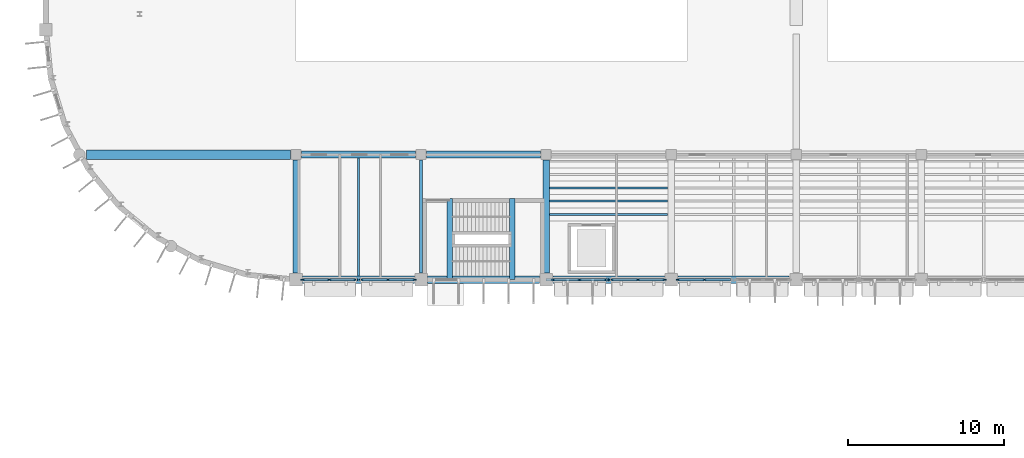
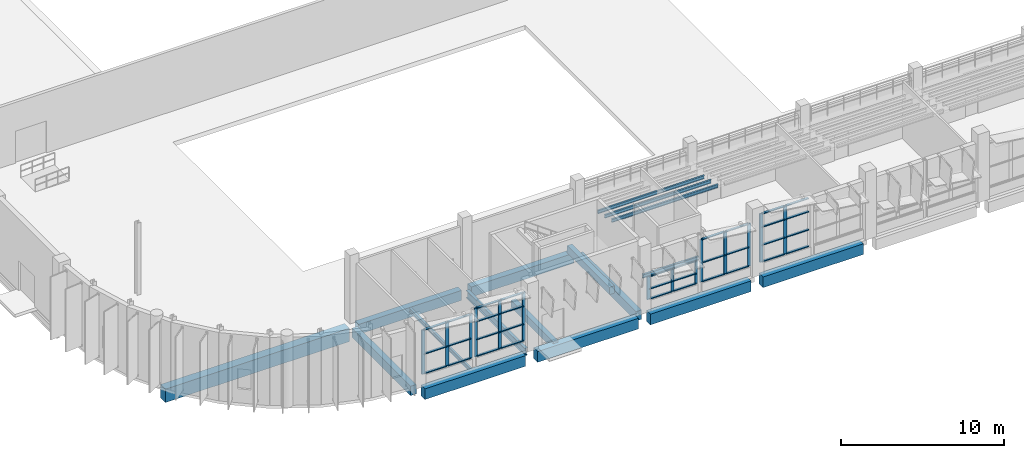
# One storey, part 13 of 103: 48 members, 17 beams, 5 elements without a shape of their own.
"""IFC4 building model written with IfcOpenShell, lengths in metres."""

from ifc_helpers import new_model, si_unit, direction, frame, origin, origin_2d, place, context, subcontext, project, spatial, rectangle, i_section, extrude, material, layer, layer_set, material_profile, profile_set, type_object, element, aggregate, save


model = new_model("IFC4")

# Units and contexts
model_context = context("Model", 3, precision=1e-05, world=origin(), true_north=direction((0.0, 1.0)))
body_context = subcontext(model_context, "Body", "Model", "MODEL_VIEW")
ifc_project = project(units=[si_unit("LENGTHUNIT", "METRE"), si_unit("AREAUNIT", "SQUARE_METRE"), si_unit("VOLUMEUNIT", "CUBIC_METRE"), si_unit("PLANEANGLEUNIT", "RADIAN"), si_unit("MASSUNIT", "GRAM", prefix="KILO")], contexts=[model_context])

# Site, building, storey
site_placement = place(None, origin())
site = spatial("IfcSite", under=ifc_project, at=site_placement, CompositionType="ELEMENT")
building_placement = place(site_placement, origin())
building = spatial("IfcBuilding", under=site, at=building_placement, Name="Drelvana Railside Aquatics Centre", CompositionType="ELEMENT")
storey_placement = place(building_placement, origin())
storey = spatial("IfcBuildingStorey", under=building, at=storey_placement, Name="L00", CompositionType="ELEMENT", Elevation=0.0)

# Curtain wall, members
ifc_material_1 = material(Name="Bronze-anodised aluminium curtain wall", Category="aluminium")
ifc_layer = layer(ifc_material_1, 0.199951171875, Name="Bronze-anodised aluminium curtain wall")
ifc_layer_set = layer_set([ifc_layer], Name="Bronze-anodised aluminium curtain wall")
curtain_wall_type = type_object("IfcCurtainWallType", Name="CW-Z1-SINE", PredefinedType="NOTDEFINED", material=ifc_layer_set)
curtain_wall_1_placement = place(storey_placement, origin())
curtain_wall_1 = element("IfcCurtainWall", 1, at=curtain_wall_1_placement, inside=storey, type_object=curtain_wall_type, Name="Curtain wall CW-01-001", PredefinedType="NOTDEFINED")
ifc_material_2 = material(Name="Bronze-anodised aluminium 6063-T6", Category="aluminium")
ifc_material_profile_1 = material_profile(ifc_material_2, rectangle(XDim=0.074951171875, YDim=0.22509765625, at=origin_2d()), Name="ALU-M 75x225")
ifc_profile_set_1 = profile_set([ifc_material_profile_1], Name="Bronze-anodised aluminium 6063-T6")
member_type_1 = type_object("IfcMemberType", Name="CW-Z1-SINE-MUL", PredefinedType="MULLION", material=ifc_profile_set_1)
member_1_placement = place(storey_placement, frame((16.431396484375, 16.0, 0.64404296875), z_axis=(0.0, 0.0, 1.0), x_axis=(0.0, 1.0, 0.0)))
member_1 = element("IfcMember", 2, at=member_1_placement, type_object=member_type_1, Name="CW-01 mullion 1", PredefinedType="MULLION", context=body_context, shape_type="SweptSolid", body=[
    extrude(rectangle(XDim=0.074951171875, YDim=0.22509765625, at=origin_2d()), origin(), (0.0, 0.0, 1.0), 3.3369140625),
])
member_2_placement = place(storey_placement, frame((18.126953125, 16.0, 0.64404296875), z_axis=(0.0, 0.0, 1.0), x_axis=(0.0, 1.0, 0.0)))
member_2 = element("IfcMember", 3, at=member_2_placement, type_object=member_type_1, Name="CW-01 mullion 2", PredefinedType="MULLION", context=body_context, shape_type="SweptSolid", body=[
    extrude(rectangle(XDim=0.074951171875, YDim=0.22509765625, at=origin_2d()), origin(), (0.0, 0.0, 1.0), 3.3369140625),
])
member_3_placement = place(storey_placement, frame((19.822509765625, 16.0, 0.64404296875), z_axis=(0.0, 0.0, 1.0), x_axis=(0.0, 1.0, 0.0)))
member_3 = element("IfcMember", 4, at=member_3_placement, type_object=member_type_1, Name="CW-01 mullion 3", PredefinedType="MULLION", context=body_context, shape_type="SweptSolid", body=[
    extrude(rectangle(XDim=0.074951171875, YDim=0.22509765625, at=origin_2d()), origin(), (0.0, 0.0, 1.0), 3.3369140625),
])

curtain_wall_2_placement = place(storey_placement, origin())
curtain_wall_2 = element("IfcCurtainWall", 5, at=curtain_wall_2_placement, inside=storey, type_object=curtain_wall_type, Name="Curtain wall CW-01-002", PredefinedType="NOTDEFINED")
member_4_placement = place(storey_placement, frame((20.177490234375, 16.0, 0.64404296875), z_axis=(0.0, 0.0, 1.0), x_axis=(0.0, 1.0, 0.0)))
member_4 = element("IfcMember", 6, at=member_4_placement, type_object=member_type_1, Name="CW-01 mullion 1", PredefinedType="MULLION", context=body_context, shape_type="SweptSolid", body=[
    extrude(rectangle(XDim=0.074951171875, YDim=0.22509765625, at=origin_2d()), origin(), (0.0, 0.0, 1.0), 3.660888671875),
])
member_5_placement = place(storey_placement, frame((21.873046875, 16.0, 0.64404296875), z_axis=(0.0, 0.0, 1.0), x_axis=(0.0, 1.0, 0.0)))
member_5 = element("IfcMember", 7, at=member_5_placement, type_object=member_type_1, Name="CW-01 mullion 2", PredefinedType="MULLION", context=body_context, shape_type="SweptSolid", body=[
    extrude(rectangle(XDim=0.074951171875, YDim=0.22509765625, at=origin_2d()), origin(), (0.0, 0.0, 1.0), 3.660888671875),
])
member_6_placement = place(storey_placement, frame((23.568603515625, 16.0, 0.64404296875), z_axis=(0.0, 0.0, 1.0), x_axis=(0.0, 1.0, 0.0)))
member_6 = element("IfcMember", 8, at=member_6_placement, type_object=member_type_1, Name="CW-01 mullion 3", PredefinedType="MULLION", context=body_context, shape_type="SweptSolid", body=[
    extrude(rectangle(XDim=0.074951171875, YDim=0.22509765625, at=origin_2d()), origin(), (0.0, 0.0, 1.0), 3.660888671875),
])

curtain_wall_3_placement = place(storey_placement, origin())
curtain_wall_3 = element("IfcCurtainWall", 9, at=curtain_wall_3_placement, inside=storey, type_object=curtain_wall_type, Name="Curtain wall CW-01-003", PredefinedType="NOTDEFINED")
member_7_placement = place(storey_placement, frame((32.431396484375, 16.0, 0.64404296875), z_axis=(0.0, 0.0, 1.0), x_axis=(0.0, 1.0, 0.0)))
member_7 = element("IfcMember", 10, at=member_7_placement, type_object=member_type_1, Name="CW-01 mullion 1", PredefinedType="MULLION", context=body_context, shape_type="SweptSolid", body=[
    extrude(rectangle(XDim=0.074951171875, YDim=0.22509765625, at=origin_2d()), origin(), (0.0, 0.0, 1.0), 1.751953125),
])
member_8_placement = place(storey_placement, frame((34.126953125, 16.0, 0.64404296875), z_axis=(0.0, 0.0, 1.0), x_axis=(0.0, 1.0, 0.0)))
member_8 = element("IfcMember", 11, at=member_8_placement, type_object=member_type_1, Name="CW-01 mullion 2", PredefinedType="MULLION", context=body_context, shape_type="SweptSolid", body=[
    extrude(rectangle(XDim=0.074951171875, YDim=0.22509765625, at=origin_2d()), origin(), (0.0, 0.0, 1.0), 1.751953125),
])
member_9_placement = place(storey_placement, frame((35.822509765625, 16.0, 0.64404296875), z_axis=(0.0, 0.0, 1.0), x_axis=(0.0, 1.0, 0.0)))
member_9 = element("IfcMember", 12, at=member_9_placement, type_object=member_type_1, Name="CW-01 mullion 3", PredefinedType="MULLION", context=body_context, shape_type="SweptSolid", body=[
    extrude(rectangle(XDim=0.074951171875, YDim=0.22509765625, at=origin_2d()), origin(), (0.0, 0.0, 1.0), 1.751953125),
])

curtain_wall_4_placement = place(storey_placement, origin())
curtain_wall_4 = element("IfcCurtainWall", 13, at=curtain_wall_4_placement, inside=storey, type_object=curtain_wall_type, Name="Curtain wall CW-01-004", PredefinedType="NOTDEFINED")
member_10_placement = place(storey_placement, frame((36.177490234375, 16.0, 0.64404296875), z_axis=(0.0, 0.0, 1.0), x_axis=(0.0, 1.0, 0.0)))
member_10 = element("IfcMember", 14, at=member_10_placement, type_object=member_type_1, Name="CW-01 mullion 1", PredefinedType="MULLION", context=body_context, shape_type="SweptSolid", body=[
    extrude(rectangle(XDim=0.074951171875, YDim=0.22509765625, at=origin_2d()), origin(), (0.0, 0.0, 1.0), 3.219970703125),
])
member_11_placement = place(storey_placement, frame((37.873046875, 16.0, 0.64404296875), z_axis=(0.0, 0.0, 1.0), x_axis=(0.0, 1.0, 0.0)))
member_11 = element("IfcMember", 15, at=member_11_placement, type_object=member_type_1, Name="CW-01 mullion 2", PredefinedType="MULLION", context=body_context, shape_type="SweptSolid", body=[
    extrude(rectangle(XDim=0.074951171875, YDim=0.22509765625, at=origin_2d()), origin(), (0.0, 0.0, 1.0), 3.219970703125),
])
member_12_placement = place(storey_placement, frame((39.568603515625, 16.0, 0.64404296875), z_axis=(0.0, 0.0, 1.0), x_axis=(0.0, 1.0, 0.0)))
member_12 = element("IfcMember", 16, at=member_12_placement, type_object=member_type_1, Name="CW-01 mullion 3", PredefinedType="MULLION", context=body_context, shape_type="SweptSolid", body=[
    extrude(rectangle(XDim=0.074951171875, YDim=0.22509765625, at=origin_2d()), origin(), (0.0, 0.0, 1.0), 3.219970703125),
])

curtain_wall_5_placement = place(storey_placement, origin())
curtain_wall_5 = element("IfcCurtainWall", 17, at=curtain_wall_5_placement, inside=storey, type_object=curtain_wall_type, Name="Curtain wall CW-01-005", PredefinedType="NOTDEFINED")
member_13_placement = place(storey_placement, frame((40.431396484375, 16.0, 0.64404296875), z_axis=(0.0, 0.0, 1.0), x_axis=(0.0, 1.0, 0.0)))
member_13 = element("IfcMember", 18, at=member_13_placement, type_object=member_type_1, Name="CW-01 mullion 1", PredefinedType="MULLION", context=body_context, shape_type="SweptSolid", body=[
    extrude(rectangle(XDim=0.074951171875, YDim=0.22509765625, at=origin_2d()), origin(), (0.0, 0.0, 1.0), 3.660888671875),
])
member_14_placement = place(storey_placement, frame((42.126953125, 16.0, 0.64404296875), z_axis=(0.0, 0.0, 1.0), x_axis=(0.0, 1.0, 0.0)))
member_14 = element("IfcMember", 19, at=member_14_placement, type_object=member_type_1, Name="CW-01 mullion 2", PredefinedType="MULLION", context=body_context, shape_type="SweptSolid", body=[
    extrude(rectangle(XDim=0.074951171875, YDim=0.22509765625, at=origin_2d()), origin(), (0.0, 0.0, 1.0), 3.660888671875),
])

# Member
ifc_material_profile_2 = material_profile(ifc_material_2, rectangle(XDim=0.159912109375, YDim=0.070068359375, at=origin_2d()), Name="ALU-T 70x160")
ifc_profile_set_2 = profile_set([ifc_material_profile_2], Name="Bronze-anodised aluminium 6063-T6")
member_type_2 = type_object("IfcMemberType", Name="CW-Z1-SINE-TRN", PredefinedType="USERDEFINED", material=ifc_profile_set_2)
member_15_placement = place(storey_placement, frame((16.464111328125, 16.0, 0.678955078125), z_axis=(1.0, 0.0, 0.0), x_axis=(0.0, 1.0, 0.0)))
member_15 = element("IfcMember", 20, at=member_15_placement, type_object=member_type_2, Name="CW-01 transom 1.1", ObjectType="TRANSOM", PredefinedType="USERDEFINED", context=body_context, shape_type="SweptSolid", body=[
    extrude(rectangle(XDim=0.159912109375, YDim=0.070068359375, at=origin_2d()), origin(), (0.0, 0.0, 1.0), 1.63037109375),
])

member_16_placement = place(storey_placement, frame((16.464111328125, 16.0, 2.14599609375), z_axis=(1.0, 0.0, 0.0), x_axis=(0.0, 1.0, 0.0)))
member_16 = element("IfcMember", 21, at=member_16_placement, type_object=member_type_2, Name="CW-01 transom 1.2", ObjectType="TRANSOM", PredefinedType="USERDEFINED", context=body_context, shape_type="SweptSolid", body=[
    extrude(rectangle(XDim=0.159912109375, YDim=0.070068359375, at=origin_2d()), origin(), (0.0, 0.0, 1.0), 1.63037109375),
])

member_17_placement = place(storey_placement, frame((16.464111328125, 16.0, 3.946044921875), z_axis=(1.0, 0.0, 0.0), x_axis=(0.0, 1.0, 0.0)))
member_17 = element("IfcMember", 22, at=member_17_placement, type_object=member_type_2, Name="CW-01 transom 1.3", ObjectType="TRANSOM", PredefinedType="USERDEFINED", context=body_context, shape_type="SweptSolid", body=[
    extrude(rectangle(XDim=0.159912109375, YDim=0.070068359375, at=origin_2d()), origin(), (0.0, 0.0, 1.0), 1.63037109375),
])

member_18_placement = place(storey_placement, frame((18.159423828125, 16.0, 0.678955078125), z_axis=(1.0, 0.0, 0.0), x_axis=(0.0, 1.0, 0.0)))
member_18 = element("IfcMember", 23, at=member_18_placement, type_object=member_type_2, Name="CW-01 transom 2.1", ObjectType="TRANSOM", PredefinedType="USERDEFINED", context=body_context, shape_type="SweptSolid", body=[
    extrude(rectangle(XDim=0.159912109375, YDim=0.070068359375, at=origin_2d()), origin(), (0.0, 0.0, 1.0), 1.630615234375),
])

member_19_placement = place(storey_placement, frame((18.159423828125, 16.0, 2.14599609375), z_axis=(1.0, 0.0, 0.0), x_axis=(0.0, 1.0, 0.0)))
member_19 = element("IfcMember", 24, at=member_19_placement, type_object=member_type_2, Name="CW-01 transom 2.2", ObjectType="TRANSOM", PredefinedType="USERDEFINED", context=body_context, shape_type="SweptSolid", body=[
    extrude(rectangle(XDim=0.159912109375, YDim=0.070068359375, at=origin_2d()), origin(), (0.0, 0.0, 1.0), 1.630615234375),
])

member_20_placement = place(storey_placement, frame((18.159423828125, 16.0, 3.946044921875), z_axis=(1.0, 0.0, 0.0), x_axis=(0.0, 1.0, 0.0)))
member_20 = element("IfcMember", 25, at=member_20_placement, type_object=member_type_2, Name="CW-01 transom 2.3", ObjectType="TRANSOM", PredefinedType="USERDEFINED", context=body_context, shape_type="SweptSolid", body=[
    extrude(rectangle(XDim=0.159912109375, YDim=0.070068359375, at=origin_2d()), origin(), (0.0, 0.0, 1.0), 1.630615234375),
])

aggregate(curtain_wall_1, [member_1, member_2, member_3, member_15, member_16, member_17, member_18, member_19, member_20])

member_21_placement = place(storey_placement, frame((20.2099609375, 16.0, 0.678955078125), z_axis=(1.0, 0.0, 0.0), x_axis=(0.0, 1.0, 0.0)))
member_21 = element("IfcMember", 26, at=member_21_placement, type_object=member_type_2, Name="CW-01 transom 1.1", ObjectType="TRANSOM", PredefinedType="USERDEFINED", context=body_context, shape_type="SweptSolid", body=[
    extrude(rectangle(XDim=0.159912109375, YDim=0.070068359375, at=origin_2d()), origin(), (0.0, 0.0, 1.0), 1.630615234375),
])

member_22_placement = place(storey_placement, frame((20.2099609375, 16.0, 1.925048828125), z_axis=(1.0, 0.0, 0.0), x_axis=(0.0, 1.0, 0.0)))
member_22 = element("IfcMember", 27, at=member_22_placement, type_object=member_type_2, Name="CW-01 transom 1.2", ObjectType="TRANSOM", PredefinedType="USERDEFINED", context=body_context, shape_type="SweptSolid", body=[
    extrude(rectangle(XDim=0.159912109375, YDim=0.070068359375, at=origin_2d()), origin(), (0.0, 0.0, 1.0), 1.630615234375),
])

member_23_placement = place(storey_placement, frame((20.2099609375, 16.0, 3.280029296875), z_axis=(1.0, 0.0, 0.0), x_axis=(0.0, 1.0, 0.0)))
member_23 = element("IfcMember", 28, at=member_23_placement, type_object=member_type_2, Name="CW-01 transom 1.3", ObjectType="TRANSOM", PredefinedType="USERDEFINED", context=body_context, shape_type="SweptSolid", body=[
    extrude(rectangle(XDim=0.159912109375, YDim=0.070068359375, at=origin_2d()), origin(), (0.0, 0.0, 1.0), 1.630615234375),
])

member_24_placement = place(storey_placement, frame((20.2099609375, 16.0, 4.27001953125), z_axis=(1.0, 0.0, 0.0), x_axis=(0.0, 1.0, 0.0)))
member_24 = element("IfcMember", 29, at=member_24_placement, type_object=member_type_2, Name="CW-01 transom 1.4", ObjectType="TRANSOM", PredefinedType="USERDEFINED", context=body_context, shape_type="SweptSolid", body=[
    extrude(rectangle(XDim=0.159912109375, YDim=0.070068359375, at=origin_2d()), origin(), (0.0, 0.0, 1.0), 1.630615234375),
])

member_25_placement = place(storey_placement, frame((21.905517578125, 16.0, 0.678955078125), z_axis=(1.0, 0.0, 0.0), x_axis=(0.0, 1.0, 0.0)))
member_25 = element("IfcMember", 30, at=member_25_placement, type_object=member_type_2, Name="CW-01 transom 2.1", ObjectType="TRANSOM", PredefinedType="USERDEFINED", context=body_context, shape_type="SweptSolid", body=[
    extrude(rectangle(XDim=0.159912109375, YDim=0.070068359375, at=origin_2d()), origin(), (0.0, 0.0, 1.0), 1.63037109375),
])

member_26_placement = place(storey_placement, frame((21.905517578125, 16.0, 1.925048828125), z_axis=(1.0, 0.0, 0.0), x_axis=(0.0, 1.0, 0.0)))
member_26 = element("IfcMember", 31, at=member_26_placement, type_object=member_type_2, Name="CW-01 transom 2.2", ObjectType="TRANSOM", PredefinedType="USERDEFINED", context=body_context, shape_type="SweptSolid", body=[
    extrude(rectangle(XDim=0.159912109375, YDim=0.070068359375, at=origin_2d()), origin(), (0.0, 0.0, 1.0), 1.63037109375),
])

member_27_placement = place(storey_placement, frame((21.905517578125, 16.0, 3.280029296875), z_axis=(1.0, 0.0, 0.0), x_axis=(0.0, 1.0, 0.0)))
member_27 = element("IfcMember", 32, at=member_27_placement, type_object=member_type_2, Name="CW-01 transom 2.3", ObjectType="TRANSOM", PredefinedType="USERDEFINED", context=body_context, shape_type="SweptSolid", body=[
    extrude(rectangle(XDim=0.159912109375, YDim=0.070068359375, at=origin_2d()), origin(), (0.0, 0.0, 1.0), 1.63037109375),
])

member_28_placement = place(storey_placement, frame((21.905517578125, 16.0, 4.27001953125), z_axis=(1.0, 0.0, 0.0), x_axis=(0.0, 1.0, 0.0)))
member_28 = element("IfcMember", 33, at=member_28_placement, type_object=member_type_2, Name="CW-01 transom 2.4", ObjectType="TRANSOM", PredefinedType="USERDEFINED", context=body_context, shape_type="SweptSolid", body=[
    extrude(rectangle(XDim=0.159912109375, YDim=0.070068359375, at=origin_2d()), origin(), (0.0, 0.0, 1.0), 1.63037109375),
])

aggregate(curtain_wall_2, [member_4, member_5, member_6, member_21, member_22, member_23, member_24, member_25, member_26, member_27, member_28])

member_29_placement = place(storey_placement, frame((32.464111328125, 16.0, 0.678955078125), z_axis=(1.0, 0.0, 0.0), x_axis=(0.0, 1.0, 0.0)))
member_29 = element("IfcMember", 34, at=member_29_placement, type_object=member_type_2, Name="CW-01 transom 1.1", ObjectType="TRANSOM", PredefinedType="USERDEFINED", context=body_context, shape_type="SweptSolid", body=[
    extrude(rectangle(XDim=0.159912109375, YDim=0.070068359375, at=origin_2d()), origin(), (0.0, 0.0, 1.0), 1.63037109375),
])

member_30_placement = place(storey_placement, frame((32.464111328125, 16.0, 1.431884765625), z_axis=(1.0, 0.0, 0.0), x_axis=(0.0, 1.0, 0.0)))
member_30 = element("IfcMember", 35, at=member_30_placement, type_object=member_type_2, Name="CW-01 transom 1.2", ObjectType="TRANSOM", PredefinedType="USERDEFINED", context=body_context, shape_type="SweptSolid", body=[
    extrude(rectangle(XDim=0.159912109375, YDim=0.070068359375, at=origin_2d()), origin(), (0.0, 0.0, 1.0), 1.63037109375),
])

member_31_placement = place(storey_placement, frame((32.464111328125, 16.0, 2.361083984375), z_axis=(1.0, 0.0, 0.0), x_axis=(0.0, 1.0, 0.0)))
member_31 = element("IfcMember", 36, at=member_31_placement, type_object=member_type_2, Name="CW-01 transom 1.3", ObjectType="TRANSOM", PredefinedType="USERDEFINED", context=body_context, shape_type="SweptSolid", body=[
    extrude(rectangle(XDim=0.159912109375, YDim=0.070068359375, at=origin_2d()), origin(), (0.0, 0.0, 1.0), 1.63037109375),
])

member_32_placement = place(storey_placement, frame((34.159423828125, 16.0, 0.678955078125), z_axis=(1.0, 0.0, 0.0), x_axis=(0.0, 1.0, 0.0)))
member_32 = element("IfcMember", 37, at=member_32_placement, type_object=member_type_2, Name="CW-01 transom 2.1", ObjectType="TRANSOM", PredefinedType="USERDEFINED", context=body_context, shape_type="SweptSolid", body=[
    extrude(rectangle(XDim=0.159912109375, YDim=0.070068359375, at=origin_2d()), origin(), (0.0, 0.0, 1.0), 1.630615234375),
])

member_33_placement = place(storey_placement, frame((34.159423828125, 16.0, 1.431884765625), z_axis=(1.0, 0.0, 0.0), x_axis=(0.0, 1.0, 0.0)))
member_33 = element("IfcMember", 38, at=member_33_placement, type_object=member_type_2, Name="CW-01 transom 2.2", ObjectType="TRANSOM", PredefinedType="USERDEFINED", context=body_context, shape_type="SweptSolid", body=[
    extrude(rectangle(XDim=0.159912109375, YDim=0.070068359375, at=origin_2d()), origin(), (0.0, 0.0, 1.0), 1.630615234375),
])

member_34_placement = place(storey_placement, frame((34.159423828125, 16.0, 2.361083984375), z_axis=(1.0, 0.0, 0.0), x_axis=(0.0, 1.0, 0.0)))
member_34 = element("IfcMember", 39, at=member_34_placement, type_object=member_type_2, Name="CW-01 transom 2.3", ObjectType="TRANSOM", PredefinedType="USERDEFINED", context=body_context, shape_type="SweptSolid", body=[
    extrude(rectangle(XDim=0.159912109375, YDim=0.070068359375, at=origin_2d()), origin(), (0.0, 0.0, 1.0), 1.630615234375),
])

aggregate(curtain_wall_3, [member_7, member_8, member_9, member_29, member_30, member_31, member_32, member_33, member_34])

member_35_placement = place(storey_placement, frame((36.2099609375, 16.0, 0.678955078125), z_axis=(1.0, 0.0, 0.0), x_axis=(0.0, 1.0, 0.0)))
member_35 = element("IfcMember", 40, at=member_35_placement, type_object=member_type_2, Name="CW-01 transom 1.1", ObjectType="TRANSOM", PredefinedType="USERDEFINED", context=body_context, shape_type="SweptSolid", body=[
    extrude(rectangle(XDim=0.159912109375, YDim=0.070068359375, at=origin_2d()), origin(), (0.0, 0.0, 1.0), 1.630615234375),
])

member_36_placement = place(storey_placement, frame((36.2099609375, 16.0, 2.093017578125), z_axis=(1.0, 0.0, 0.0), x_axis=(0.0, 1.0, 0.0)))
member_36 = element("IfcMember", 41, at=member_36_placement, type_object=member_type_2, Name="CW-01 transom 1.2", ObjectType="TRANSOM", PredefinedType="USERDEFINED", context=body_context, shape_type="SweptSolid", body=[
    extrude(rectangle(XDim=0.159912109375, YDim=0.070068359375, at=origin_2d()), origin(), (0.0, 0.0, 1.0), 1.630615234375),
])

member_37_placement = place(storey_placement, frame((36.2099609375, 16.0, 3.8291015625), z_axis=(1.0, 0.0, 0.0), x_axis=(0.0, 1.0, 0.0)))
member_37 = element("IfcMember", 42, at=member_37_placement, type_object=member_type_2, Name="CW-01 transom 1.3", ObjectType="TRANSOM", PredefinedType="USERDEFINED", context=body_context, shape_type="SweptSolid", body=[
    extrude(rectangle(XDim=0.159912109375, YDim=0.070068359375, at=origin_2d()), origin(), (0.0, 0.0, 1.0), 1.630615234375),
])

member_38_placement = place(storey_placement, frame((37.905517578125, 16.0, 0.678955078125), z_axis=(1.0, 0.0, 0.0), x_axis=(0.0, 1.0, 0.0)))
member_38 = element("IfcMember", 43, at=member_38_placement, type_object=member_type_2, Name="CW-01 transom 2.1", ObjectType="TRANSOM", PredefinedType="USERDEFINED", context=body_context, shape_type="SweptSolid", body=[
    extrude(rectangle(XDim=0.159912109375, YDim=0.070068359375, at=origin_2d()), origin(), (0.0, 0.0, 1.0), 1.63037109375),
])

member_39_placement = place(storey_placement, frame((37.905517578125, 16.0, 2.093017578125), z_axis=(1.0, 0.0, 0.0), x_axis=(0.0, 1.0, 0.0)))
member_39 = element("IfcMember", 44, at=member_39_placement, type_object=member_type_2, Name="CW-01 transom 2.2", ObjectType="TRANSOM", PredefinedType="USERDEFINED", context=body_context, shape_type="SweptSolid", body=[
    extrude(rectangle(XDim=0.159912109375, YDim=0.070068359375, at=origin_2d()), origin(), (0.0, 0.0, 1.0), 1.63037109375),
])

member_40_placement = place(storey_placement, frame((37.905517578125, 16.0, 3.8291015625), z_axis=(1.0, 0.0, 0.0), x_axis=(0.0, 1.0, 0.0)))
member_40 = element("IfcMember", 45, at=member_40_placement, type_object=member_type_2, Name="CW-01 transom 2.3", ObjectType="TRANSOM", PredefinedType="USERDEFINED", context=body_context, shape_type="SweptSolid", body=[
    extrude(rectangle(XDim=0.159912109375, YDim=0.070068359375, at=origin_2d()), origin(), (0.0, 0.0, 1.0), 1.63037109375),
])

aggregate(curtain_wall_4, [member_10, member_11, member_12, member_35, member_36, member_37, member_38, member_39, member_40])

member_41_placement = place(storey_placement, frame((40.464111328125, 16.0, 0.678955078125), z_axis=(1.0, 0.0, 0.0), x_axis=(0.0, 1.0, 0.0)))
member_41 = element("IfcMember", 46, at=member_41_placement, type_object=member_type_2, Name="CW-01 transom 1.1", ObjectType="TRANSOM", PredefinedType="USERDEFINED", context=body_context, shape_type="SweptSolid", body=[
    extrude(rectangle(XDim=0.159912109375, YDim=0.070068359375, at=origin_2d()), origin(), (0.0, 0.0, 1.0), 1.63037109375),
])

member_42_placement = place(storey_placement, frame((40.464111328125, 16.0, 1.925048828125), z_axis=(1.0, 0.0, 0.0), x_axis=(0.0, 1.0, 0.0)))
member_42 = element("IfcMember", 47, at=member_42_placement, type_object=member_type_2, Name="CW-01 transom 1.2", ObjectType="TRANSOM", PredefinedType="USERDEFINED", context=body_context, shape_type="SweptSolid", body=[
    extrude(rectangle(XDim=0.159912109375, YDim=0.070068359375, at=origin_2d()), origin(), (0.0, 0.0, 1.0), 1.63037109375),
])

member_43_placement = place(storey_placement, frame((40.464111328125, 16.0, 3.280029296875), z_axis=(1.0, 0.0, 0.0), x_axis=(0.0, 1.0, 0.0)))
member_43 = element("IfcMember", 48, at=member_43_placement, type_object=member_type_2, Name="CW-01 transom 1.3", ObjectType="TRANSOM", PredefinedType="USERDEFINED", context=body_context, shape_type="SweptSolid", body=[
    extrude(rectangle(XDim=0.159912109375, YDim=0.070068359375, at=origin_2d()), origin(), (0.0, 0.0, 1.0), 1.63037109375),
])

member_44_placement = place(storey_placement, frame((40.464111328125, 16.0, 4.27001953125), z_axis=(1.0, 0.0, 0.0), x_axis=(0.0, 1.0, 0.0)))
member_44 = element("IfcMember", 49, at=member_44_placement, type_object=member_type_2, Name="CW-01 transom 1.4", ObjectType="TRANSOM", PredefinedType="USERDEFINED", context=body_context, shape_type="SweptSolid", body=[
    extrude(rectangle(XDim=0.159912109375, YDim=0.070068359375, at=origin_2d()), origin(), (0.0, 0.0, 1.0), 1.63037109375),
])

member_45_placement = place(storey_placement, frame((42.159423828125, 16.0, 0.678955078125), z_axis=(1.0, 0.0, 0.0), x_axis=(0.0, 1.0, 0.0)))
member_45 = element("IfcMember", 50, at=member_45_placement, type_object=member_type_2, Name="CW-01 transom 2.1", ObjectType="TRANSOM", PredefinedType="USERDEFINED", context=body_context, shape_type="SweptSolid", body=[
    extrude(rectangle(XDim=0.159912109375, YDim=0.070068359375, at=origin_2d()), origin(), (0.0, 0.0, 1.0), 1.630615234375),
])

member_46_placement = place(storey_placement, frame((42.159423828125, 16.0, 1.925048828125), z_axis=(1.0, 0.0, 0.0), x_axis=(0.0, 1.0, 0.0)))
member_46 = element("IfcMember", 51, at=member_46_placement, type_object=member_type_2, Name="CW-01 transom 2.2", ObjectType="TRANSOM", PredefinedType="USERDEFINED", context=body_context, shape_type="SweptSolid", body=[
    extrude(rectangle(XDim=0.159912109375, YDim=0.070068359375, at=origin_2d()), origin(), (0.0, 0.0, 1.0), 1.630615234375),
])

member_47_placement = place(storey_placement, frame((42.159423828125, 16.0, 3.280029296875), z_axis=(1.0, 0.0, 0.0), x_axis=(0.0, 1.0, 0.0)))
member_47 = element("IfcMember", 52, at=member_47_placement, type_object=member_type_2, Name="CW-01 transom 2.3", ObjectType="TRANSOM", PredefinedType="USERDEFINED", context=body_context, shape_type="SweptSolid", body=[
    extrude(rectangle(XDim=0.159912109375, YDim=0.070068359375, at=origin_2d()), origin(), (0.0, 0.0, 1.0), 1.630615234375),
])

member_48_placement = place(storey_placement, frame((42.159423828125, 16.0, 4.27001953125), z_axis=(1.0, 0.0, 0.0), x_axis=(0.0, 1.0, 0.0)))
member_48 = element("IfcMember", 53, at=member_48_placement, type_object=member_type_2, Name="CW-01 transom 2.4", ObjectType="TRANSOM", PredefinedType="USERDEFINED", context=body_context, shape_type="SweptSolid", body=[
    extrude(rectangle(XDim=0.159912109375, YDim=0.070068359375, at=origin_2d()), origin(), (0.0, 0.0, 1.0), 1.630615234375),
])

aggregate(curtain_wall_5, [member_13, member_14, member_41, member_42, member_43, member_44, member_45, member_46, member_47, member_48])

# Beams
ifc_material_3 = material(Name="Concrete C40/50", Category="concrete")
ifc_material_profile_3 = material_profile(ifc_material_3, rectangle(XDim=0.35009765625, YDim=0.550048828125, at=origin_2d()), Name="RC 350x550")
ifc_profile_set_3 = profile_set([ifc_material_profile_3], Name="Concrete C40/50")
beam_type_1 = type_object("IfcBeamType", Name="STR-BM-BM-01-RC-350x550", PredefinedType="BEAM", material=ifc_profile_set_3)
for number, where, z_axis, x_axis, name in (
    (54, (25.85009765625, 16.0, -0.47509765625), (0.0, 1.0, 0.0), (-1.0, 0.0, 0.0), "Stair ST-01 L00 landing beam"),
    (55, (29.840087890625, 16.0, 2.22509765625), (0.0, 1.0, 0.0), (-1.0, 0.0, 0.0), "Stair ST-01 L00 mid-landing beam"),
):
    element("IfcBeam", number, at=place(storey_placement, frame(where, z_axis=z_axis, x_axis=x_axis)), inside=storey, type_object=beam_type_1, Name=name, PredefinedType="BEAM", context=body_context, shape_type="SweptSolid", body=[
        extrude(rectangle(XDim=0.35009765625, YDim=0.550048828125, at=origin_2d()), origin(), (0.0, 0.0, 1.0), 5.199951171875),
    ])
ifc_material_profile_4 = material_profile(ifc_material_3, rectangle(XDim=0.39990234375, YDim=0.699951171875, at=origin_2d()), Name="RC 400x700")
ifc_profile_set_4 = profile_set([ifc_material_profile_4], Name="Concrete C40/50")
beam_type_2 = type_object("IfcBeamType", Name="STR-BM-BM-03-RC-400x700", PredefinedType="BEAM", material=ifc_profile_set_4)
for number, where, z_axis, x_axis, name in (
    (56, (16.0, 16.425048828125, -0.679931640625), (0.0, 1.0, 0.0), (-1.0, 0.0, 0.0), "Girder BM-03 (L00)"),
    (57, (32.0, 16.425048828125, -0.679931640625), (0.0, 1.0, 0.0), (-1.0, 0.0, 0.0), "Girder BM-03 (L00)"),
):
    element("IfcBeam", number, at=place(storey_placement, frame(where, z_axis=z_axis, x_axis=x_axis)), inside=storey, type_object=beam_type_2, Name=name, PredefinedType="BEAM", context=body_context, shape_type="SweptSolid", body=[
        extrude(rectangle(XDim=0.39990234375, YDim=0.699951171875, at=origin_2d()), origin(), (0.0, 0.0, 1.0), 7.224853515625),
    ])
ifc_material_profile_5 = material_profile(ifc_material_3, rectangle(XDim=0.449951171875, YDim=0.75, at=origin_2d()), Name="RC 450x750")
ifc_profile_set_5 = profile_set([ifc_material_profile_5], Name="Concrete C40/50")
beam_type_3 = type_object("IfcBeamType", Name="STR-BM-BM-04-RC-450x750", PredefinedType="BEAM", material=ifc_profile_set_5)
for number, where, z_axis, x_axis, name in (
    (58, (16.35009765625, 24.0, -0.705078125), (1.0, 0.0, 0.0), (0.0, 1.0, 0.0), "Girder BM-04 (L00)"),
    (59, (24.35009765625, 24.0, -0.705078125), (1.0, 0.0, 0.0), (0.0, 1.0, 0.0), "Girder BM-04 (L00)"),
):
    element("IfcBeam", number, at=place(storey_placement, frame(where, z_axis=z_axis, x_axis=x_axis)), inside=storey, type_object=beam_type_3, Name=name, PredefinedType="BEAM", context=body_context, shape_type="SweptSolid", body=[
        extrude(rectangle(XDim=0.449951171875, YDim=0.75, at=origin_2d()), origin(), (0.0, 0.0, 1.0), 7.2998046875),
    ])
ifc_material_profile_6 = material_profile(ifc_material_3, rectangle(XDim=0.5, YDim=0.800048828125, at=origin_2d()), Name="RC 500x800")
ifc_profile_set_6 = profile_set([ifc_material_profile_6], Name="Concrete C40/50")
beam_type_4 = type_object("IfcBeamType", Name="STR-BM-BM-06-RC-500x800", PredefinedType="SPANDREL", material=ifc_profile_set_6)
for number, where, z_axis, x_axis, name in (
    (60, (16.425048828125, 16.0, -0.72998046875), (1.0, 0.0, 0.0), (0.0, 1.0, 0.0), "Girder BM-06 (L00)"),
    (61, (24.425048828125, 16.0, -0.72998046875), (1.0, 0.0, 0.0), (0.0, 1.0, 0.0), "Girder BM-06 (L00)"),
    (62, (32.425048828125, 16.0, -0.72998046875), (1.0, 0.0, 0.0), (0.0, 1.0, 0.0), "Girder BM-06 (L00)"),
):
    element("IfcBeam", number, at=place(storey_placement, frame(where, z_axis=z_axis, x_axis=x_axis)), inside=storey, type_object=beam_type_4, Name=name, PredefinedType="SPANDREL", context=body_context, shape_type="SweptSolid", body=[
        extrude(rectangle(XDim=0.5, YDim=0.800048828125, at=origin_2d()), origin(), (0.0, 0.0, 1.0), 7.14990234375),
    ])
beam_1_placement = place(storey_placement, frame((40.425048828125, 16.0, -0.72998046875), z_axis=(1.0, 0.0, 0.0), x_axis=(0.0, 1.0, 0.0)))
element("IfcBeam", 63, at=beam_1_placement, inside=storey, type_object=beam_type_4, Name="Girder BM-06 (L00)", PredefinedType="SPANDREL", context=body_context, shape_type="SweptSolid", body=[
    extrude(rectangle(XDim=0.5, YDim=0.800048828125, at=origin_2d()), origin(), (0.0, 0.0, 1.0), 7.125),
])
ifc_material_profile_7 = material_profile(ifc_material_3, rectangle(XDim=0.60009765625, YDim=1.0, at=origin_2d()), Name="RC 600x1000")
ifc_profile_set_7 = profile_set([ifc_material_profile_7], Name="Concrete C40/50")
beam_type_5 = type_object("IfcBeamType", Name="STR-BM-BM-09-RC-600x1000", PredefinedType="BEAM", material=ifc_profile_set_7)
beam_2_placement = place(storey_placement, frame((2.590087890625, 24.0, -0.830078125), z_axis=(1.0, 0.0, 0.0), x_axis=(0.0, 1.0, 0.0)))
element("IfcBeam", 64, at=beam_2_placement, inside=storey, type_object=beam_type_5, Name="Girder BM-09 (L00)", PredefinedType="BEAM", context=body_context, shape_type="SweptSolid", body=[
    extrude(rectangle(XDim=0.60009765625, YDim=1.0, at=origin_2d()), origin(), (0.0, 0.0, 1.0), 13.059814453125),
])
ifc_material_4 = material(Name="Structural steel S355", Category="steel")
ifc_material_profile_8 = material_profile(ifc_material_4, i_section(OverallWidth=0.2099609375, OverallDepth=0.550048828125, WebThickness=0.010986328125, FlangeThickness=0.01708984375, at=origin_2d()), Name="IPE 550")
ifc_profile_set_8 = profile_set([ifc_material_profile_8], Name="Structural steel S355")
beam_type_6 = type_object("IfcBeamType", Name="STR-SBM-SB-04-IPE-550", PredefinedType="SPANDREL", material=ifc_profile_set_8)
beam_3_placement = place(storey_placement, frame((24.0, 16.425048828125, -0.60498046875), z_axis=(0.0, 1.0, 0.0), x_axis=(-1.0, 0.0, 0.0)))
element("IfcBeam", 65, at=beam_3_placement, inside=storey, type_object=beam_type_6, Name="Girder SB-04 (L00)", PredefinedType="SPANDREL", context=body_context, shape_type="SweptSolid", body=[
    extrude(i_section(OverallWidth=0.2099609375, OverallDepth=0.550048828125, WebThickness=0.010986328125, FlangeThickness=0.01708984375, at=origin_2d()), origin(), (0.0, 0.0, 1.0), 7.224853515625),
])
ifc_material_profile_9 = material_profile(ifc_material_4, i_section(OverallWidth=0.1201171875, OverallDepth=0.239990234375, WebThickness=0.006103515625, FlangeThickness=0.009765625, at=origin_2d()), Name="IPE 240")
ifc_profile_set_9 = profile_set([ifc_material_profile_9], Name="Structural steel S355")
beam_type_7 = type_object("IfcBeamType", Name="STR-SBM-SJ-01-IPE-240", PredefinedType="JOIST", material=ifc_profile_set_9)
for number, where, z_axis, x_axis, name in (
    (66, (32.22509765625, 21.875, 3.714599609375), (1.0, 0.0, 0.0), (0.0, 1.0, 0.0), "Lower stand tier bearer S1.R3"),
    (67, (32.22509765625, 21.02490234375, 3.898193359375), (1.0, 0.0, 0.0), (0.0, 1.0, 0.0), "Lower stand tier bearer S1.R4"),
    (68, (32.22509765625, 20.175048828125, 4.082275390625), (1.0, 0.0, 0.0), (0.0, 1.0, 0.0), "Lower stand tier bearer S1.R5"),
):
    element("IfcBeam", number, at=place(storey_placement, frame(where, z_axis=z_axis, x_axis=x_axis)), inside=storey, type_object=beam_type_7, Name=name, PredefinedType="JOIST", context=body_context, shape_type="SweptSolid", body=[
        extrude(i_section(OverallWidth=0.1201171875, OverallDepth=0.239990234375, WebThickness=0.006103515625, FlangeThickness=0.009765625, at=origin_2d()), origin(), (0.0, 0.0, 1.0), 7.5498046875),
    ])
ifc_material_profile_10 = material_profile(ifc_material_4, i_section(OverallWidth=0.135009765625, OverallDepth=0.27001953125, WebThickness=0.006591796875, FlangeThickness=0.01025390625, at=origin_2d()), Name="IPE 270")
ifc_profile_set_10 = profile_set([ifc_material_profile_10], Name="Structural steel S355")
beam_type_8 = type_object("IfcBeamType", Name="STR-SBM-SJ-02-IPE-270", PredefinedType="JOIST", material=ifc_profile_set_10)
beam_4_placement = place(storey_placement, frame((32.0, 16.0, 2.531005859375), z_axis=(1.0, 0.0, 0.0), x_axis=(0.0, 1.0, 0.0)))
element("IfcBeam", 69, at=beam_4_placement, inside=storey, type_object=beam_type_8, Name="Sine-wave spandrel lintel beam V1S-3.1", PredefinedType="JOIST", context=body_context, shape_type="SweptSolid", body=[
    extrude(i_section(OverallWidth=0.135009765625, OverallDepth=0.27001953125, WebThickness=0.006591796875, FlangeThickness=0.01025390625, at=origin_2d()), origin(), (0.0, 0.0, 1.0), 4.0),
])
ifc_material_profile_11 = material_profile(ifc_material_4, i_section(OverallWidth=0.14990234375, OverallDepth=0.300048828125, WebThickness=0.007080078125, FlangeThickness=0.0107421875, at=origin_2d()), Name="IPE 300")
ifc_profile_set_11 = profile_set([ifc_material_profile_11], Name="Structural steel S355")
beam_type_9 = type_object("IfcBeamType", Name="STR-SBM-SJ-03-IPE-300", PredefinedType="JOIST", material=ifc_profile_set_11)
beam_5_placement = place(storey_placement, frame((20.0, 16.25, -0.47998046875), z_axis=(0.0, 1.0, 0.0), x_axis=(-1.0, 0.0, 0.0)))
element("IfcBeam", 70, at=beam_5_placement, inside=storey, type_object=beam_type_9, Name="Secondary floor joist SJ-03 (L00)", PredefinedType="JOIST", context=body_context, shape_type="SweptSolid", body=[
    extrude(i_section(OverallWidth=0.14990234375, OverallDepth=0.300048828125, WebThickness=0.007080078125, FlangeThickness=0.0107421875, at=origin_2d()), origin(), (0.0, 0.0, 1.0), 7.52490234375),
])

save(model, "model.ifc")
